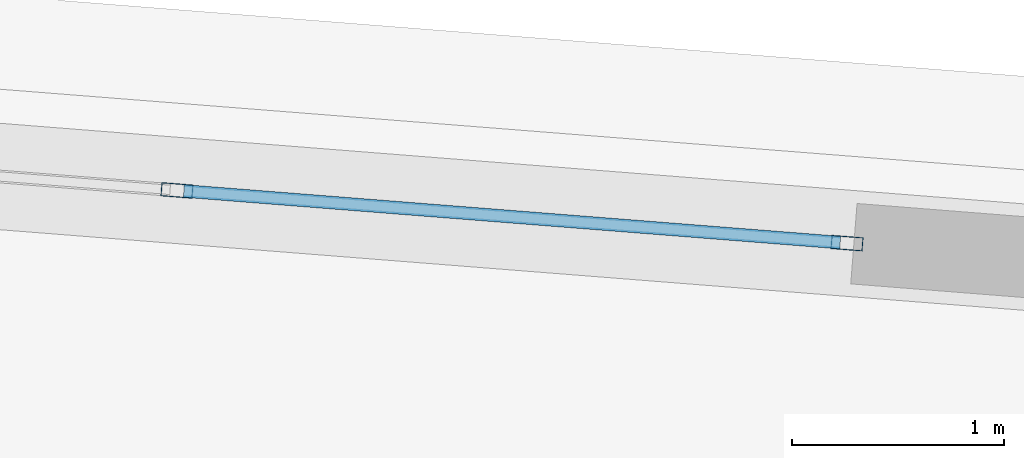
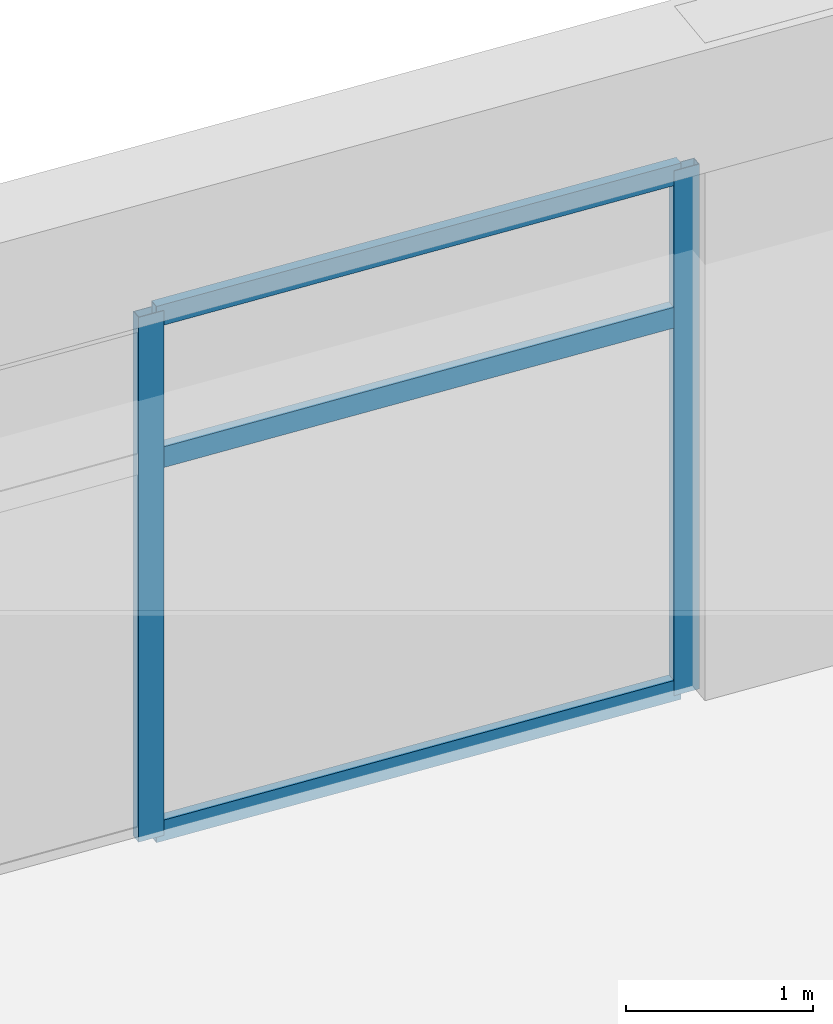
# One storey, part 26 of 35: 5 members, 1 element without a shape of its own.
"""IFC4 building model written with IfcOpenShell, lengths in metres."""

from ifc_helpers import new_model, si_unit, direction, frame, origin, origin_2d, place, context, subcontext, project, spatial, hollow_rectangle, extrude, source, transform, mapped, material, layer, layer_set, material_profile, profile_set, type_object, element, aggregate, save


model = new_model("IFC4")

# Units and contexts
model_context = context("Model", 3, precision=1e-05, world=origin(), true_north=direction((0.0, 1.0)))
body_context = subcontext(model_context, "Body", "Model", "MODEL_VIEW")
ifc_project = project(units=[si_unit("LENGTHUNIT", "METRE"), si_unit("AREAUNIT", "SQUARE_METRE"), si_unit("VOLUMEUNIT", "CUBIC_METRE"), si_unit("PLANEANGLEUNIT", "RADIAN"), si_unit("MASSUNIT", "GRAM", prefix="KILO")], contexts=[model_context])

# Site, building, storey
site_placement = place(None, origin())
site = spatial("IfcSite", under=ifc_project, at=site_placement, CompositionType="ELEMENT")
building_placement = place(site_placement, origin())
building = spatial("IfcBuilding", under=site, at=building_placement, Name="Liaohun Quay Tower", CompositionType="ELEMENT")
storey_placement = place(building_placement, frame((0.0, 0.0, 282.0)))
storey = spatial("IfcBuildingStorey", under=building, at=storey_placement, Name="L73", CompositionType="ELEMENT", Elevation=282.0)

# Curtain wall, members
ifc_material_1 = material(Name="Upper sky-lobby belvedere curtain wall")
ifc_layer = layer(ifc_material_1, 0.199951171875, Name="Upper sky-lobby belvedere curtain wall")
ifc_layer_set = layer_set([ifc_layer], Name="Upper sky-lobby belvedere curtain wall")
curtain_wall_type = type_object("IfcCurtainWallType", Name="CW-SKY-L73", PredefinedType="NOTDEFINED", material=ifc_layer_set)
curtain_wall_placement = place(storey_placement, origin())
curtain_wall = element("IfcCurtainWall", 1, at=curtain_wall_placement, inside=storey, type_object=curtain_wall_type, Name="L73 Panoramic Belvedere Curtain Wall 03", PredefinedType="NOTDEFINED")
ifc_material_2 = material(Name="Anodised aluminium 6063-T6", Category="aluminium")
ifc_material_profile_1 = material_profile(ifc_material_2, hollow_rectangle(XDim=0.06494140625, YDim=0.14990234375, WallThickness=0.00390625, at=origin_2d()), Name="RHS150x65x4")
ifc_profile_set_1 = profile_set([ifc_material_profile_1], Name="Anodised aluminium 6063-T6")
member_type_1 = type_object("IfcMemberType", Name="MEM-CWM-SKY", PredefinedType="MULLION", material=ifc_profile_set_1)
shared_shape_1 = source(origin(), body_context, "Body", "SweptSolid", [
    extrude(hollow_rectangle(XDim=0.06494140625, YDim=0.14990234375, WallThickness=0.00390625, at=origin_2d()), origin(), (0.0, 0.0, 1.0), 3.419921875),
])
member_1_placement = place(storey_placement, frame((77.322509765625, 75.50146484375, 0.0), z_axis=(0.0, 0.0, 1.0), x_axis=(-0.078428726082, -0.996919723411, 0.0)))
member_1 = element("IfcMember", 2, at=member_1_placement, type_object=member_type_1, Name="CW5 mullion 1", PredefinedType="MULLION", context=body_context, shape_type="MappedRepresentation", body=[
    mapped(shared_shape_1, transform((0.0, 0.0, 0.0), x_axis=(1.0, 0.0, 0.0), y_axis=(0.0, 1.0, 0.0), z_axis=(0.0, 0.0, 1.0), scale=1.0)),
])
member_2_placement = place(storey_placement, frame((74.16455078125, 75.75, 0.0), z_axis=(0.0, 0.0, 1.0), x_axis=(-0.078428726082, -0.996919723411, 0.0)))
member_2 = element("IfcMember", 3, at=member_2_placement, type_object=member_type_1, Name="CW5 mullion 2", PredefinedType="MULLION", context=body_context, shape_type="MappedRepresentation", body=[
    mapped(shared_shape_1, transform((0.0, 0.0, 0.0), x_axis=(1.0, 0.0, 0.0), y_axis=(0.0, 1.0, 0.0), z_axis=(0.0, 0.0, 1.0), scale=1.0)),
])
ifc_material_profile_2 = material_profile(ifc_material_2, hollow_rectangle(XDim=0.06005859375, YDim=0.135009765625, WallThickness=0.00390625, at=origin_2d()), Name="RHS135x60x4")
ifc_profile_set_2 = profile_set([ifc_material_profile_2], Name="Anodised aluminium 6063-T6")
member_type_2 = type_object("IfcMemberType", Name="MEM-CWT-SKY", PredefinedType="USERDEFINED", material=ifc_profile_set_2)
shared_shape_2 = source(origin(), body_context, "Body", "SweptSolid", [
    extrude(hollow_rectangle(XDim=0.06005859375, YDim=0.135009765625, WallThickness=0.00390625, at=origin_2d()), origin(), (0.0, 0.0, 1.0), 3.102783203125),
])
member_3_placement = place(storey_placement, frame((77.290283203125, 75.504150390625, 0.030029296875), z_axis=(-0.996918260672, 0.078447316961, 0.0), x_axis=(-0.078447316961, -0.996918260672, 0.0)))
member_3 = element("IfcMember", 4, at=member_3_placement, type_object=member_type_2, Name="CW5 transom 1.1", ObjectType="TRANSOM", PredefinedType="USERDEFINED", context=body_context, shape_type="MappedRepresentation", body=[
    mapped(shared_shape_2, transform((0.0, 0.0, 0.0), x_axis=(1.0, 0.0, 0.0), y_axis=(0.0, 1.0, 0.0), z_axis=(0.0, 0.0, 1.0), scale=1.0)),
])
member_4_placement = place(storey_placement, frame((77.290283203125, 75.504150390625, 2.4619140625), z_axis=(-0.996918260672, 0.078447316961, 0.0), x_axis=(-0.078447316961, -0.996918260672, 0.0)))
member_4 = element("IfcMember", 5, at=member_4_placement, type_object=member_type_2, Name="CW5 transom 1.2", ObjectType="TRANSOM", PredefinedType="USERDEFINED", context=body_context, shape_type="MappedRepresentation", body=[
    mapped(shared_shape_2, transform((0.0, 0.0, 0.0), x_axis=(1.0, 0.0, 0.0), y_axis=(0.0, 1.0, 0.0), z_axis=(0.0, 0.0, 1.0), scale=1.0)),
])
member_5_placement = place(storey_placement, frame((77.290283203125, 75.504150390625, 3.389892578125), z_axis=(-0.996918260672, 0.078447316961, 0.0), x_axis=(-0.078447316961, -0.996918260672, 0.0)))
member_5 = element("IfcMember", 6, at=member_5_placement, type_object=member_type_2, Name="CW5 transom 1.3", ObjectType="TRANSOM", PredefinedType="USERDEFINED", context=body_context, shape_type="MappedRepresentation", body=[
    mapped(shared_shape_2, transform((0.0, 0.0, 0.0), x_axis=(1.0, 0.0, 0.0), y_axis=(0.0, 1.0, 0.0), z_axis=(0.0, 0.0, 1.0), scale=1.0)),
])
aggregate(curtain_wall, [member_1, member_2, member_3, member_4, member_5])

save(model, "model.ifc")
